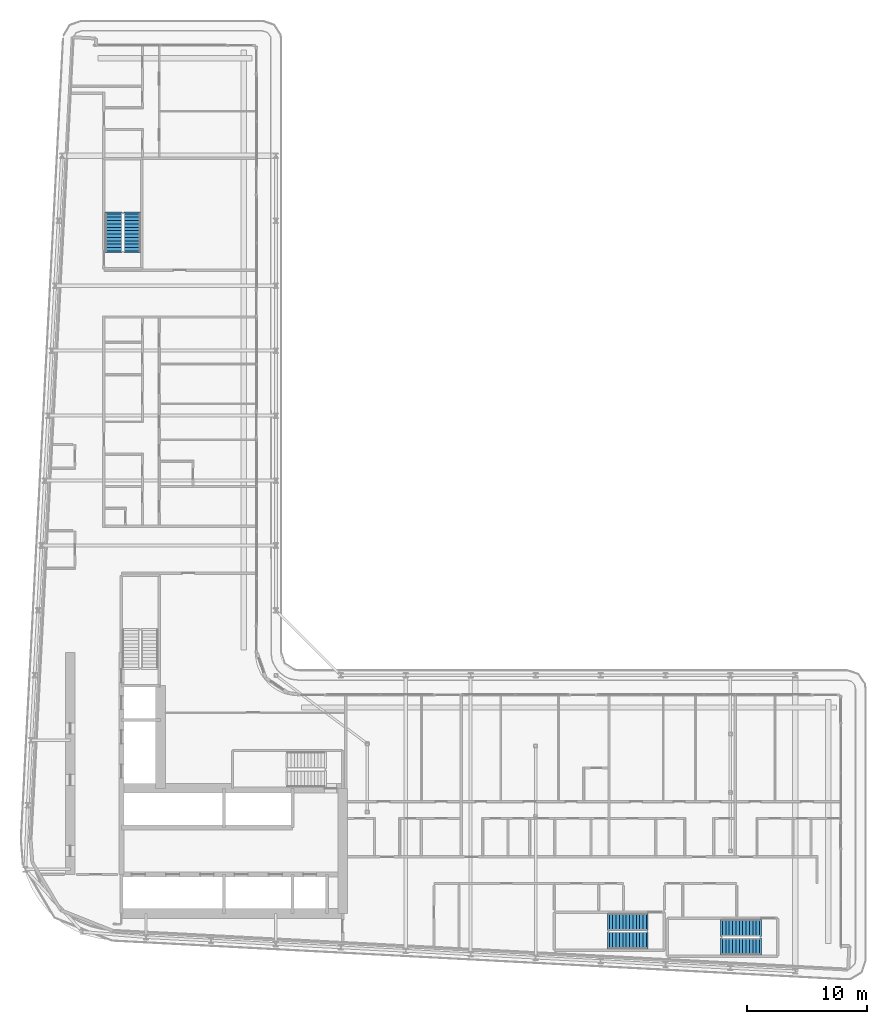
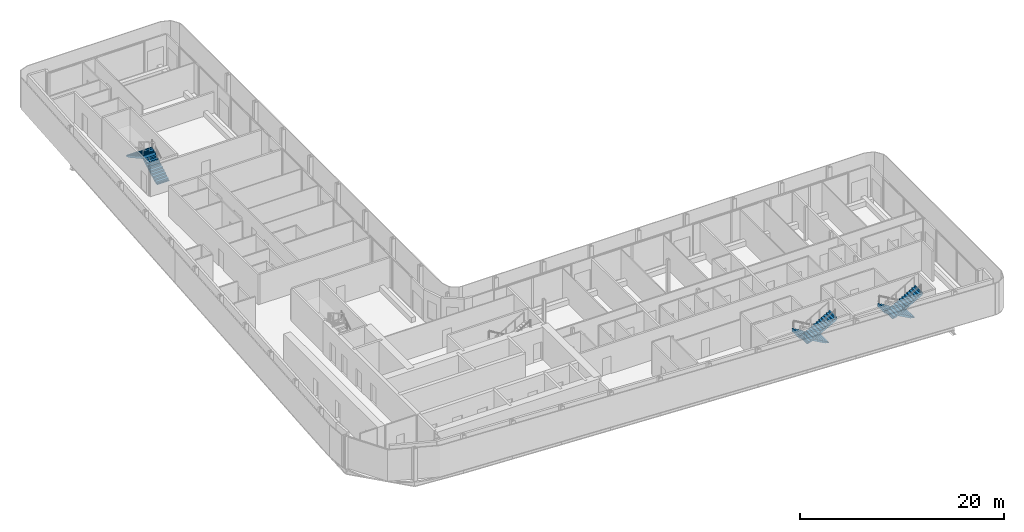
# One storey, part 22 of 29: 6 stair flights, 3 elements without a shape of their own.
"""IFC4 building model written with IfcOpenShell, lengths in metres."""

from ifc_helpers import new_model, si_unit, direction, frame, origin, place, context, subcontext, project, spatial, polyline, outline, extrude, material, layer, layer_set, type_object, element, aggregate, save


model = new_model("IFC4")

# Units and contexts
model_context = context("Model", 3, precision=1e-05, world=origin(), true_north=direction((0.0, 1.0)))
body_context = subcontext(model_context, "Body", "Model", "MODEL_VIEW")
ifc_project = project(units=[si_unit("LENGTHUNIT", "METRE"), si_unit("AREAUNIT", "SQUARE_METRE"), si_unit("VOLUMEUNIT", "CUBIC_METRE"), si_unit("PLANEANGLEUNIT", "RADIAN"), si_unit("MASSUNIT", "GRAM", prefix="KILO")], contexts=[model_context])

# Site, building, storey
site_placement = place(None, origin())
site = spatial("IfcSite", under=ifc_project, at=site_placement, CompositionType="ELEMENT")
building_placement = place(site_placement, origin())
building = spatial("IfcBuilding", under=site, at=building_placement, Name="Kheshtan School and Residences Tower", CompositionType="ELEMENT")
storey_placement = place(building_placement, frame((0.0, 0.0, 168.199951171875)))
storey = spatial("IfcBuildingStorey", under=building, at=storey_placement, Name="L39", CompositionType="ELEMENT", Elevation=168.199951171875)

# Stair, stair flights
ifc_material = material(Name="Concrete C40/50", Category="concrete")
stair_type = type_object("IfcStairType", Name="Exit stair, half-turn", PredefinedType="HALF_TURN_STAIR", material=ifc_material)
stair_1_placement = place(storey_placement, origin())
stair_1 = element("IfcStair", 1, at=stair_1_placement, inside=storey, type_object=stair_type, Name="L39 Protected Exit Stair ST3", PredefinedType="HALF_TURN_STAIR")
ifc_layer = layer(ifc_material, 0.14990234375)
ifc_layer_set = layer_set([ifc_layer], Name="Stair flight 1400 Concrete C40/50")
stair_flight_type = type_object("IfcStairFlightType", Name="Stair flight 1400 Concrete C40/50", PredefinedType="STRAIGHT", material=ifc_layer_set)
stair_flight_1_placement = place(storey_placement, frame((35.64990234375, 80.89990234375, 0.0), z_axis=(0.0, 0.0, 1.0), x_axis=(0.0, 1.0, 0.0)))
stair_flight_1 = element("IfcStairFlight", 2, at=stair_flight_1_placement, type_object=stair_flight_type, Name="ST3 flight 1", NumberOfRisers=12, NumberOfTreads=11, PredefinedType="STRAIGHT", RiserHeight=0.1625, TreadLength=0.28, context=body_context, shape_type="SweptSolid", body=[
    extrude(outline(polyline([(-0.14990234375, -0.10009765625), (-0.14990234375, 0.0), (0.0, 0.0), (0.0, 0.16259765625), (0.280029296875, 0.16259765625), (0.280029296875, 0.324951171875), (0.56005859375, 0.324951171875), (0.56005859375, 0.487548828125), (0.840087890625, 0.487548828125), (0.840087890625, 0.64990234375), (1.1201171875, 0.64990234375), (1.1201171875, 0.8125), (1.39990234375, 0.8125), (1.39990234375, 0.97509765625), (1.679931640625, 0.97509765625), (1.679931640625, 1.137451171875), (1.9599609375, 1.137451171875), (1.9599609375, 1.300048828125), (2.239990234375, 1.300048828125), (2.239990234375, 1.46240234375), (2.52001953125, 1.46240234375), (2.52001953125, 1.625), (2.800048828125, 1.625), (2.800048828125, 1.78759765625), (3.080078125, 1.78759765625), (3.080078125, 1.949951171875), (3.080078125, 1.969970703125), (3.22998046875, 1.969970703125), (3.22998046875, 1.6142578125), (0.298583984375, 0.0), (-0.14990234375, -0.10009765625)])), frame((0.0, 0.699951171875, 0.0), z_axis=(0.0, -1.0, 0.0), x_axis=(1.0, 0.0, 0.0)), (0.0, 0.0, 1.0), 1.39990234375),
])
stair_flight_2_placement = place(storey_placement, frame((34.10009765625, 83.97998046875, 1.949951171875), z_axis=(0.0, 0.0, 1.0), x_axis=(0.0, -1.0, 0.0)))
stair_flight_2 = element("IfcStairFlight", 3, at=stair_flight_2_placement, type_object=stair_flight_type, Name="ST3 flight 2", NumberOfRisers=12, NumberOfTreads=11, PredefinedType="STRAIGHT", RiserHeight=0.1625, TreadLength=0.28, context=body_context, shape_type="SweptSolid", body=[
    extrude(outline(polyline([(-0.14990234375, -0.10009765625), (-0.14990234375, 0.0), (0.0, 0.0), (0.0, 0.16259765625), (0.280029296875, 0.16259765625), (0.280029296875, 0.324951171875), (0.56005859375, 0.324951171875), (0.56005859375, 0.487548828125), (0.840087890625, 0.487548828125), (0.840087890625, 0.64990234375), (1.1201171875, 0.64990234375), (1.1201171875, 0.8125), (1.39990234375, 0.8125), (1.39990234375, 0.97509765625), (1.679931640625, 0.97509765625), (1.679931640625, 1.137451171875), (1.9599609375, 1.137451171875), (1.9599609375, 1.300048828125), (2.239990234375, 1.300048828125), (2.239990234375, 1.46240234375), (2.52001953125, 1.46240234375), (2.52001953125, 1.625), (2.800048828125, 1.625), (2.800048828125, 1.78759765625), (3.080078125, 1.78759765625), (3.080078125, 1.949951171875), (3.080078125, 1.969970703125), (3.22998046875, 1.969970703125), (3.22998046875, 1.6142578125), (0.298583984375, 0.0), (-0.14990234375, -0.10009765625)])), frame((0.0, 0.699951171875, 0.0), z_axis=(0.0, -1.0, 0.0), x_axis=(1.0, 0.0, 0.0)), (0.0, 0.0, 1.0), 1.39990234375),
])
aggregate(stair_1, [stair_flight_1, stair_flight_2])

stair_2_placement = place(storey_placement, origin())
stair_2 = element("IfcStair", 4, at=stair_2_placement, inside=storey, type_object=stair_type, Name="L39 Protected Exit Stair ST4", PredefinedType="HALF_TURN_STAIR")
stair_flight_3_placement = place(storey_placement, frame((87.820068359375, 24.60009765625, 0.0), z_axis=(0.0, 0.0, 1.0), x_axis=(-1.0, 0.0, 0.0)))
stair_flight_3 = element("IfcStairFlight", 5, at=stair_flight_3_placement, type_object=stair_flight_type, Name="ST4 flight 1", NumberOfRisers=12, NumberOfTreads=11, PredefinedType="STRAIGHT", RiserHeight=0.1625, TreadLength=0.28, context=body_context, shape_type="SweptSolid", body=[
    extrude(outline(polyline([(-0.14990234375, -0.10009765625), (-0.14990234375, 0.0), (0.0, 0.0), (0.0, 0.16259765625), (0.280029296875, 0.16259765625), (0.280029296875, 0.324951171875), (0.56005859375, 0.324951171875), (0.56005859375, 0.487548828125), (0.840087890625, 0.487548828125), (0.840087890625, 0.64990234375), (1.1201171875, 0.64990234375), (1.1201171875, 0.8125), (1.39990234375, 0.8125), (1.39990234375, 0.97509765625), (1.679931640625, 0.97509765625), (1.679931640625, 1.137451171875), (1.9599609375, 1.137451171875), (1.9599609375, 1.300048828125), (2.239990234375, 1.300048828125), (2.239990234375, 1.46240234375), (2.52001953125, 1.46240234375), (2.52001953125, 1.625), (2.800048828125, 1.625), (2.800048828125, 1.78759765625), (3.080078125, 1.78759765625), (3.080078125, 1.949951171875), (3.080078125, 1.969970703125), (3.22998046875, 1.969970703125), (3.22998046875, 1.6142578125), (0.298583984375, 0.0), (-0.14990234375, -0.10009765625)])), frame((0.0, 0.699951171875, 0.0), z_axis=(0.0, -1.0, 0.0), x_axis=(1.0, 0.0, 0.0)), (0.0, 0.0, 1.0), 1.39990234375),
])
stair_flight_4_placement = place(storey_placement, frame((84.739990234375, 23.050048828125, 1.949951171875), z_axis=(0.0, 0.0, 1.0), x_axis=(1.0, 0.0, 0.0)))
stair_flight_4 = element("IfcStairFlight", 6, at=stair_flight_4_placement, type_object=stair_flight_type, Name="ST4 flight 2", NumberOfRisers=12, NumberOfTreads=11, PredefinedType="STRAIGHT", RiserHeight=0.1625, TreadLength=0.28, context=body_context, shape_type="SweptSolid", body=[
    extrude(outline(polyline([(-0.14990234375, -0.10009765625), (-0.14990234375, 0.0), (0.0, 0.0), (0.0, 0.16259765625), (0.280029296875, 0.16259765625), (0.280029296875, 0.324951171875), (0.56005859375, 0.324951171875), (0.56005859375, 0.487548828125), (0.840087890625, 0.487548828125), (0.840087890625, 0.64990234375), (1.1201171875, 0.64990234375), (1.1201171875, 0.8125), (1.39990234375, 0.8125), (1.39990234375, 0.97509765625), (1.679931640625, 0.97509765625), (1.679931640625, 1.137451171875), (1.9599609375, 1.137451171875), (1.9599609375, 1.300048828125), (2.239990234375, 1.300048828125), (2.239990234375, 1.46240234375), (2.52001953125, 1.46240234375), (2.52001953125, 1.625), (2.800048828125, 1.625), (2.800048828125, 1.78759765625), (3.080078125, 1.78759765625), (3.080078125, 1.949951171875), (3.080078125, 1.969970703125), (3.22998046875, 1.969970703125), (3.22998046875, 1.6142578125), (0.298583984375, 0.0), (-0.14990234375, -0.10009765625)])), frame((0.0, 0.699951171875, 0.0), z_axis=(0.0, -1.0, 0.0), x_axis=(1.0, 0.0, 0.0)), (0.0, 0.0, 1.0), 1.39990234375),
])
aggregate(stair_2, [stair_flight_3, stair_flight_4])

stair_3_placement = place(storey_placement, origin())
stair_3 = element("IfcStair", 7, at=stair_3_placement, inside=storey, type_object=stair_type, Name="L39 Protected Exit Stair ST5", PredefinedType="HALF_TURN_STAIR")
stair_flight_5_placement = place(storey_placement, frame((78.409912109375, 25.10009765625, 0.0), z_axis=(0.0, 0.0, 1.0), x_axis=(-1.0, 0.0, 0.0)))
stair_flight_5 = element("IfcStairFlight", 8, at=stair_flight_5_placement, type_object=stair_flight_type, Name="ST5 flight 1", NumberOfRisers=12, NumberOfTreads=11, PredefinedType="STRAIGHT", RiserHeight=0.1625, TreadLength=0.28, context=body_context, shape_type="SweptSolid", body=[
    extrude(outline(polyline([(-0.14990234375, -0.10009765625), (-0.14990234375, 0.0), (0.0, 0.0), (0.0, 0.16259765625), (0.280029296875, 0.16259765625), (0.280029296875, 0.324951171875), (0.56005859375, 0.324951171875), (0.56005859375, 0.487548828125), (0.840087890625, 0.487548828125), (0.840087890625, 0.64990234375), (1.1201171875, 0.64990234375), (1.1201171875, 0.8125), (1.39990234375, 0.8125), (1.39990234375, 0.97509765625), (1.679931640625, 0.97509765625), (1.679931640625, 1.137451171875), (1.9599609375, 1.137451171875), (1.9599609375, 1.300048828125), (2.239990234375, 1.300048828125), (2.239990234375, 1.46240234375), (2.52001953125, 1.46240234375), (2.52001953125, 1.625), (2.800048828125, 1.625), (2.800048828125, 1.78759765625), (3.080078125, 1.78759765625), (3.080078125, 1.949951171875), (3.080078125, 1.969970703125), (3.22998046875, 1.969970703125), (3.22998046875, 1.6142578125), (0.298583984375, 0.0), (-0.14990234375, -0.10009765625)])), frame((0.0, 0.699951171875, 0.0), z_axis=(0.0, -1.0, 0.0), x_axis=(1.0, 0.0, 0.0)), (0.0, 0.0, 1.0), 1.39990234375),
])
stair_flight_6_placement = place(storey_placement, frame((75.330078125, 23.550048828125, 1.949951171875), z_axis=(0.0, 0.0, 1.0), x_axis=(1.0, 0.0, 0.0)))
stair_flight_6 = element("IfcStairFlight", 9, at=stair_flight_6_placement, type_object=stair_flight_type, Name="ST5 flight 2", NumberOfRisers=12, NumberOfTreads=11, PredefinedType="STRAIGHT", RiserHeight=0.1625, TreadLength=0.28, context=body_context, shape_type="SweptSolid", body=[
    extrude(outline(polyline([(-0.14990234375, -0.10009765625), (-0.14990234375, 0.0), (0.0, 0.0), (0.0, 0.16259765625), (0.280029296875, 0.16259765625), (0.280029296875, 0.324951171875), (0.56005859375, 0.324951171875), (0.56005859375, 0.487548828125), (0.840087890625, 0.487548828125), (0.840087890625, 0.64990234375), (1.1201171875, 0.64990234375), (1.1201171875, 0.8125), (1.39990234375, 0.8125), (1.39990234375, 0.97509765625), (1.679931640625, 0.97509765625), (1.679931640625, 1.137451171875), (1.9599609375, 1.137451171875), (1.9599609375, 1.300048828125), (2.239990234375, 1.300048828125), (2.239990234375, 1.46240234375), (2.52001953125, 1.46240234375), (2.52001953125, 1.625), (2.800048828125, 1.625), (2.800048828125, 1.78759765625), (3.080078125, 1.78759765625), (3.080078125, 1.949951171875), (3.080078125, 1.969970703125), (3.22998046875, 1.969970703125), (3.22998046875, 1.6142578125), (0.298583984375, 0.0), (-0.14990234375, -0.10009765625)])), frame((0.0, 0.699951171875, 0.0), z_axis=(0.0, -1.0, 0.0), x_axis=(1.0, 0.0, 0.0)), (0.0, 0.0, 1.0), 1.39990234375),
])
aggregate(stair_3, [stair_flight_5, stair_flight_6])

save(model, "model.ifc")
